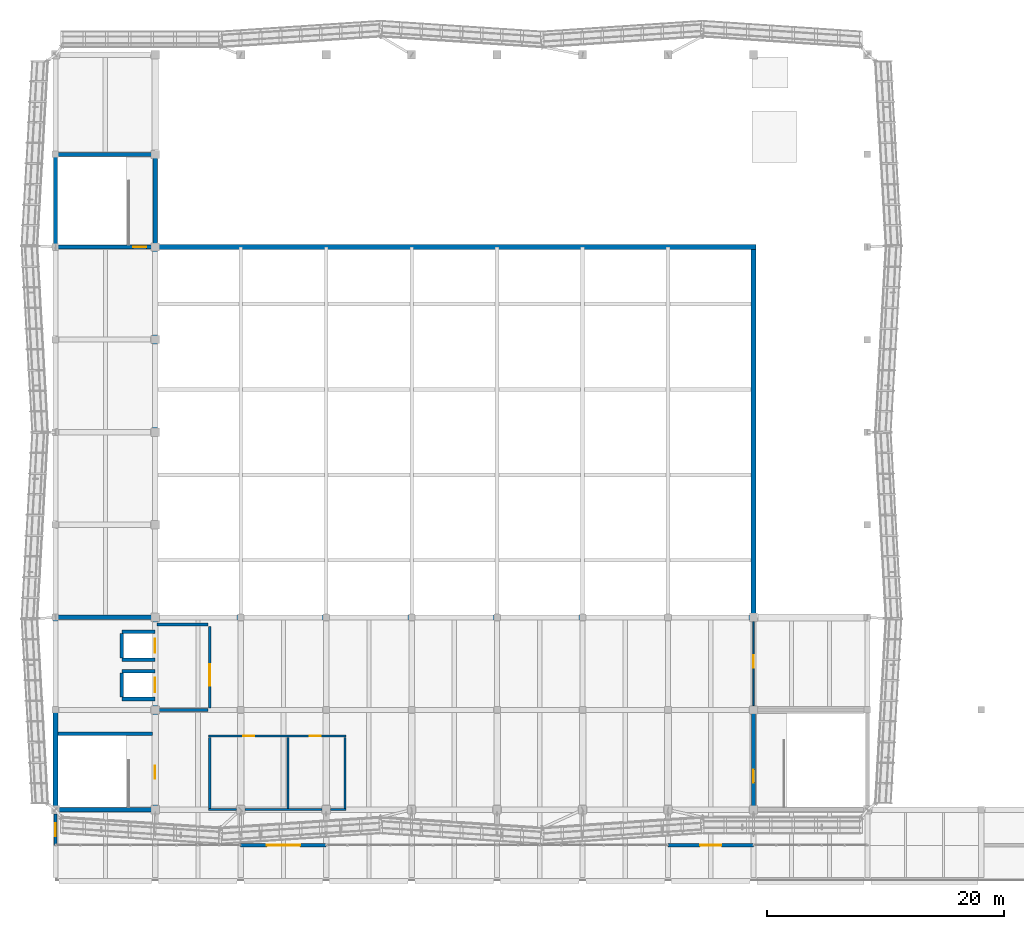
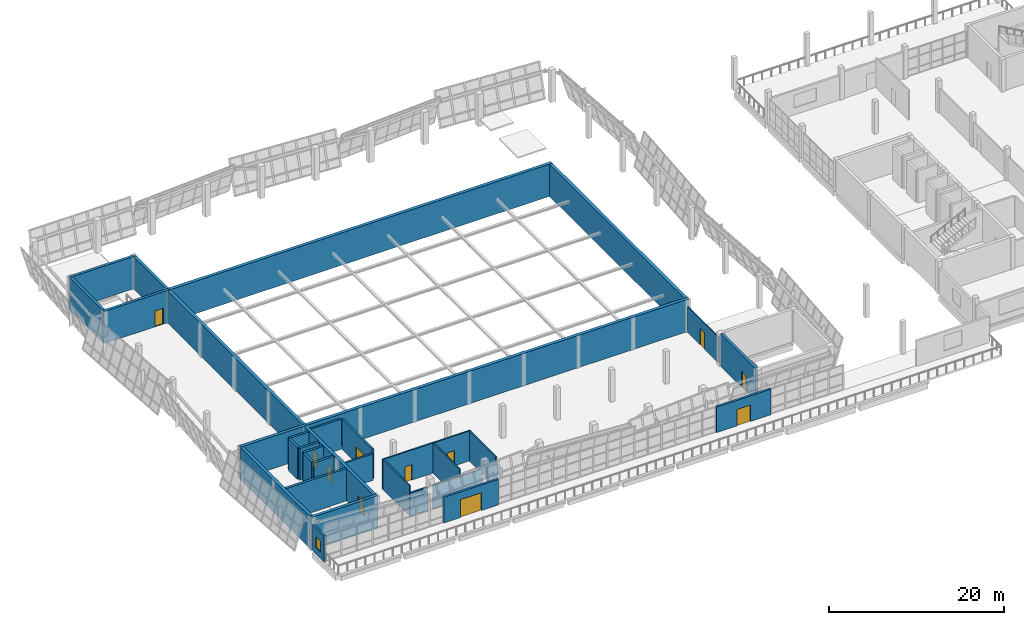
# One storey, part 55 of 67: 34 walls, 11 doors, 1 window, 12 openings.
"""IFC4 building model written with IfcOpenShell, lengths in metres."""

import ifcopenshell
import ifcopenshell.guid

model = None  # the IFC model being written
_history = None  # IfcOwnerHistory: only IFC2X3 demands one
_inside = {}  # id of a spatial element -> (the spatial element, [elements in it])
_under = {}  # id of a project, library or spatial element -> (it, [spatial elements below it])
_declared = {}  # id of a project -> (the project, [libraries it declares])
_typed = {}  # id of a type object -> (the type object, [elements of that type])
_made_of = {}  # id of a material, layer set ... -> (it, [elements and type objects made of it])


def new_model(schema):
    """Start an empty IFC model of exactly this schema.

    Asked for "IFC4X3", IfcOpenShell would pick the latest addendum, in which some entities
    have other attributes; the version numbers below select the first issue.
    IFC2X3 requires an IfcOwnerHistory on every rooted entity: one is made here for all.
    """
    global model, _history
    if schema == "IFC4X3":
        model = ifcopenshell.file(schema_version=(4, 3, 0, 0))
    else:
        model = ifcopenshell.file(schema=schema)
    _inside.clear()
    _under.clear()
    _declared.clear()
    _typed.clear()
    _made_of.clear()
    _history = None
    if model.schema == "IFC2X3":
        org = make("IfcOrganization", Name="unknown")
        user = make(
            "IfcPersonAndOrganization",
            ThePerson=make("IfcPerson", FamilyName="unknown"),
            TheOrganization=org,
        )
        app = make(
            "IfcApplication",
            ApplicationDeveloper=org,
            Version="unknown",
            ApplicationFullName="unknown",
            ApplicationIdentifier="unknown",
        )
        _history = make(
            "IfcOwnerHistory",
            OwningUser=user,
            OwningApplication=app,
            ChangeAction="ADDED",
            CreationDate=0,
        )
    return model


def make(cls, **values):
    """One entity of the class cls with the attributes given. An attribute that is None is left unset."""
    return model.create_entity(
        cls, **{name: value for name, value in values.items() if value is not None}
    )


def rooted(cls, **values):
    """An entity with a GlobalId (a new one), such as an element, a storey or a relation."""
    return make(cls, GlobalId=ifcopenshell.guid.new(), OwnerHistory=_history, **values)


def si_unit(unit_type, name, prefix=None):
    """IfcSIUnit, for example si_unit("LENGTHUNIT", "METRE", prefix="MILLI")."""
    return make("IfcSIUnit", UnitType=unit_type, Prefix=prefix, Name=name)


def assignment(units):
    """IfcUnitAssignment: the units of a project."""
    return None if units is None else make("IfcUnitAssignment", Units=units)


def point(xyz):
    """IfcCartesianPoint."""
    return None if xyz is None else make("IfcCartesianPoint", Coordinates=xyz)


def direction(xyz):
    """IfcDirection."""
    return None if xyz is None else make("IfcDirection", DirectionRatios=xyz)


def frame(location, z_axis=None, x_axis=None):
    """IfcAxis2Placement3D, a coordinate frame: its origin and axes. An axis left out is left unset."""
    return make(
        "IfcAxis2Placement3D",
        Location=point(location),
        Axis=direction(z_axis),
        RefDirection=direction(x_axis),
    )


def frame_2d(location, x_axis=None):
    """IfcAxis2Placement2D, a coordinate frame in the plane: its origin and x axis."""
    return make(
        "IfcAxis2Placement2D", Location=point(location), RefDirection=direction(x_axis)
    )


def origin():
    """The frame at (0, 0, 0) with its axes left unset."""
    return frame((0.0, 0.0, 0.0))


def place(relative_to, where):
    """IfcLocalPlacement: puts the frame where relative to a parent placement (None: the world)."""
    return make(
        "IfcLocalPlacement", PlacementRelTo=relative_to, RelativePlacement=where
    )


def context(
    kind, dimensions, precision=None, world=None, true_north=None, identifier=None
):
    """IfcGeometricRepresentationContext, for example the 3D "Model" context."""
    return make(
        "IfcGeometricRepresentationContext",
        ContextIdentifier=identifier,
        ContextType=kind,
        CoordinateSpaceDimension=dimensions,
        Precision=precision,
        WorldCoordinateSystem=world,
        TrueNorth=true_north,
    )


def subcontext(parent, identifier, kind, view, scale=None):
    """IfcGeometricRepresentationSubContext, for example "Body" below "Model"."""
    return make(
        "IfcGeometricRepresentationSubContext",
        ContextIdentifier=identifier,
        ContextType=kind,
        ParentContext=parent,
        TargetScale=scale,
        TargetView=view,
    )


def project(units=None, contexts=None):
    """IfcProject with its units and contexts."""
    return rooted(
        "IfcProject",
        Name="project",
        RepresentationContexts=contexts,
        UnitsInContext=assignment(units),
    )


def spatial(cls, under=None, at=None, **own):
    """A site, building, storey or space (cls), placed at a placement, below another one or the project."""
    s = rooted(cls, ObjectPlacement=at, **own)
    if under is not None:
        _under.setdefault(under.id(), (under, []))[1].append(s)
    return s


def profile(cls, at=None, kind="AREA", **sizes):
    """A parametric profile (cls). Its sizes go by their IFC names, for example OverallWidth=200.0."""
    return make(cls, ProfileType=kind, Position=at, **sizes)


def rectangle(**sizes):
    """IfcRectangleProfileDef."""
    return profile("IfcRectangleProfileDef", **sizes)


def extrude(swept, where, along, depth):
    """IfcExtrudedAreaSolid: the profile swept, set in the frame where, extruded along a direction by depth."""
    return make(
        "IfcExtrudedAreaSolid",
        SweptArea=swept,
        Position=where,
        ExtrudedDirection=direction(along),
        Depth=depth,
    )


def shape(context_of_items, identifier, shape_type, items):
    """IfcShapeRepresentation: the items that make up one representation, for example the "Body"."""
    return make(
        "IfcShapeRepresentation",
        ContextOfItems=context_of_items,
        RepresentationIdentifier=identifier,
        RepresentationType=shape_type,
        Items=items,
    )


def material(Name=None, Category=None):
    """IfcMaterial."""
    return make("IfcMaterial", Name=Name, Category=Category)


def layer(
    of_material, thickness, ventilated=None, Name=None, Category=None, Priority=None
):
    """IfcMaterialLayer: one layer of a wall or slab, of a material (None: an air gap)."""
    return make(
        "IfcMaterialLayer",
        Material=of_material,
        LayerThickness=thickness,
        IsVentilated=ventilated,
        Name=Name,
        Category=Category,
        Priority=Priority,
    )


def layer_set(layers, Name=None):
    """IfcMaterialLayerSet."""
    return make("IfcMaterialLayerSet", MaterialLayers=layers, LayerSetName=Name)


def made_of(thing, what):
    """Note that an element or type object is made of a material, layer set ...; save() writes the relation."""
    if what is not None:
        _made_of.setdefault(what.id(), (what, []))[1].append(thing)
    return thing


def type_object(cls, material=None, **own):
    """A type object (cls), such as IfcWallType, which elements share."""
    return made_of(rooted(cls, **own), material)


def element(
    cls,
    number,
    at=None,
    inside=None,
    cuts=None,
    type_object=None,
    material=None,
    context=None,
    identifier="Body",
    shape_type=None,
    held_by="IfcProductDefinitionShape",
    body=None,
    shapes=None,
    **own,
):
    """One element of the class cls, such as IfcWall. Its Tag is "e" and its number.

    at: its placement. inside: the storey or other place that contains it. cuts: it is an
    opening in that element (IfcRelVoidsElement). A single representation is given by context,
    identifier, shape_type and body (its items); several are given by shapes. held_by: the class
    of the entity that holds the representations. save() writes the other relations.
    """
    e = rooted(cls, Tag="e%d" % number, ObjectPlacement=at, **own)
    if body is not None:
        shapes = [shape(context, identifier, shape_type, body)]
    if shapes is not None:
        e.Representation = make(held_by, Representations=shapes)
    if inside is not None:
        _inside.setdefault(inside.id(), (inside, []))[1].append(e)
    if cuts is not None:
        rooted(
            "IfcRelVoidsElement", RelatingBuildingElement=cuts, RelatedOpeningElement=e
        )
    if type_object is not None:
        _typed.setdefault(type_object.id(), (type_object, []))[1].append(e)
    return made_of(e, material)


def fill(opening, filler):
    """IfcRelFillsElement: the door or window that sits in an opening."""
    return rooted(
        "IfcRelFillsElement",
        RelatingOpeningElement=opening,
        RelatedBuildingElement=filler,
    )


def aggregate(whole, parts):
    """IfcRelAggregates: a whole, such as a stair, and the parts it consists of."""
    return rooted("IfcRelAggregates", RelatingObject=whole, RelatedObjects=parts)


def save(model, path):
    """Write the relations noted so far, then the file.

    IfcRelAggregates (storeys below a building ...), IfcRelContainedInSpatialStructure (elements
    in a storey), IfcRelDefinesByType, IfcRelAssociatesMaterial and IfcRelDeclares: one each for
    every whole, place, type object, material and project.
    """
    for whole, parts in _under.values():
        aggregate(whole, parts)
    for where, things in _inside.values():
        rooted(
            "IfcRelContainedInSpatialStructure",
            RelatedElements=things,
            RelatingStructure=where,
        )
    for kind, things in _typed.values():
        rooted("IfcRelDefinesByType", RelatedObjects=things, RelatingType=kind)
    for what, things in _made_of.values():
        rooted("IfcRelAssociatesMaterial", RelatedObjects=things, RelatingMaterial=what)
    for by, libraries in _declared.values():
        rooted("IfcRelDeclares", RelatingContext=by, RelatedDefinitions=libraries)
    model.write(path)


model = new_model("IFC4")

# Units and contexts
model_context = context("Model", 3, precision=1e-05, world=origin(), true_north=direction((0.0, 1.0)))
body_context = subcontext(model_context, "Body", "Model", "MODEL_VIEW")
ifc_project = project(units=[si_unit("LENGTHUNIT", "METRE"), si_unit("AREAUNIT", "SQUARE_METRE"), si_unit("VOLUMEUNIT", "CUBIC_METRE"), si_unit("PLANEANGLEUNIT", "RADIAN"), si_unit("MASSUNIT", "GRAM", prefix="KILO")], contexts=[model_context])

# Site, building, storey
site_placement = place(None, origin())
site = spatial("IfcSite", under=ifc_project, at=site_placement, CompositionType="ELEMENT")
building_placement = place(site_placement, origin())
building = spatial("IfcBuilding", under=site, at=building_placement, Name="Pellamere Symphony Hall", CompositionType="ELEMENT")
storey_placement = place(building_placement, frame((0.0, 0.0, 19.5)))
storey = spatial("IfcBuildingStorey", under=building, at=storey_placement, Name="L04", CompositionType="ELEMENT", Elevation=19.5)

# Wall, opening, door
ifc_material_1 = material(Name="Architectural Limestone-Clad Insulated Backing Assembly", Category="masonry")
ifc_layer_1 = layer(ifc_material_1, 0.280029296875, Name="Architectural Limestone-Clad Insulated Backing Assembly")
ifc_layer_set_1 = layer_set([ifc_layer_1], Name="Architectural Limestone-Clad Insulated Backing Assembly")
wall_type_1 = type_object("IfcWallType", Name="Exterior Wall EW-03 280mm", PredefinedType="SOLIDWALL", material=ifc_layer_set_1)
wall_1_placement = place(storey_placement, frame((66.0, 27.0, 0.0), z_axis=(0.0, 0.0, 1.0), x_axis=(1.0, 0.0, 0.0)))
wall_1 = element("IfcWall", 1, at=wall_1_placement, inside=storey, type_object=wall_type_1, Name="Exterior Wall EW-03-056 (L04)", PredefinedType="SOLIDWALL", context=body_context, shape_type="SweptSolid", body=[
    extrude(rectangle(XDim=7.199951171875, YDim=0.280029296875, at=frame_2d((3.60009765625, 0.0))), origin(), (0.0, 0.0, 1.0), 3.577392578125),
])
opening_1_placement = place(wall_1_placement, frame((2.199951171875, 0.0, 0.0)))
opening_1 = element("IfcOpeningElement", 2, at=opening_1_placement, cuts=wall_1, Name="Opening TD-05", PredefinedType="OPENING", context=body_context, shape_type="SweptSolid", body=[
    extrude(rectangle(XDim=2.800048828125, YDim=2.5, at=frame_2d((1.39990234375, 1.25))), frame((0.0, 0.14990234375, 0.0), z_axis=(0.0, -1.0, 0.0), x_axis=(1.0, 0.0, 0.0)), (0.0, 0.0, 1.0), 0.300048828125),
])
ifc_material_2 = material(Name="Thermally Broken Bronze-Anodised Aluminium Acoustic Door", Category="aluminium")
door_type_1 = type_object("IfcDoorType", Name="Exterior Door ED-05 2800x2500", OperationType="NOTDEFINED", PredefinedType="DOOR", material=ifc_material_2)
door_1_placement = place(opening_1_placement, frame((2.800048828125, 0.0, 0.0), z_axis=(0.0, 0.0, 1.0), x_axis=(-1.0, 0.0, 0.0)))
door_1 = element("IfcDoor", 3, at=door_1_placement, inside=storey, type_object=door_type_1, Name="Step 3 Belvedere Terrace West Door", OperationType="SLIDING_TO_LEFT", OverallHeight=2.5, OverallWidth=2.800048828125, PredefinedType="DOOR", context=body_context, shape_type="SweptSolid", body=[
    extrude(rectangle(XDim=2.800048828125, YDim=2.5, at=frame_2d((1.39990234375, 1.25))), frame((0.0, 0.02490234375, 0.0), z_axis=(0.0, -1.0, 0.0), x_axis=(1.0, 0.0, 0.0)), (0.0, 0.0, 1.0), 0.050048828125),
])
fill(opening_1, door_1)

wall_2_placement = place(storey_placement, frame((102.0, 27.0, 0.0), z_axis=(0.0, 0.0, 1.0), x_axis=(1.0, 0.0, 0.0)))
wall_2 = element("IfcWall", 4, at=wall_2_placement, inside=storey, type_object=wall_type_1, Name="Exterior Wall EW-03-057 (L04)", PredefinedType="SOLIDWALL", context=body_context, shape_type="SweptSolid", body=[
    extrude(rectangle(XDim=7.199951171875, YDim=0.280029296875, at=frame_2d((3.60009765625, 0.0))), origin(), (0.0, 0.0, 1.0), 3.577392578125),
])
opening_2_placement = place(wall_2_placement, frame((2.699951171875, 0.0, 0.0)))
opening_2 = element("IfcOpeningElement", 5, at=opening_2_placement, cuts=wall_2, Name="Opening TD-06", PredefinedType="OPENING", context=body_context, shape_type="SweptSolid", body=[
    extrude(rectangle(XDim=1.800048828125, YDim=2.300048828125, at=frame_2d((0.89990234375, 1.14990234375))), frame((0.0, 0.14990234375, 0.0), z_axis=(0.0, -1.0, 0.0), x_axis=(1.0, 0.0, 0.0)), (0.0, 0.0, 1.0), 0.300048828125),
])
door_type_2 = type_object("IfcDoorType", Name="Exterior Door ED-06 1800x2300", OperationType="NOTDEFINED", PredefinedType="DOOR", material=ifc_material_2)
door_2_placement = place(opening_2_placement, frame((1.800048828125, 0.0, 0.0), z_axis=(0.0, 0.0, 1.0), x_axis=(-1.0, 0.0, 0.0)))
door_2 = element("IfcDoor", 6, at=door_2_placement, inside=storey, type_object=door_type_2, Name="Step 3 Belvedere Terrace East Door", OperationType="DOUBLE_DOOR_SINGLE_SWING", OverallHeight=2.300048828125, OverallWidth=1.800048828125, PredefinedType="DOOR", context=body_context, shape_type="SweptSolid", body=[
    extrude(rectangle(XDim=1.800048828125, YDim=2.300048828125, at=frame_2d((0.89990234375, 1.14990234375))), frame((0.0, 0.02490234375, 0.0), z_axis=(0.0, -1.0, 0.0), x_axis=(1.0, 0.0, 0.0)), (0.0, 0.0, 1.0), 0.050048828125),
])
fill(opening_2, door_2)

# Wall, opening, window
wall_3_placement = place(storey_placement, frame((50.39990234375, 27.0, 0.0), z_axis=(0.0, 0.0, 1.0), x_axis=(0.0, 1.0, 0.0)))
wall_3 = element("IfcWall", 7, at=wall_3_placement, inside=storey, type_object=wall_type_1, Name="Exterior Wall EW-03-061 (L04)", PredefinedType="SOLIDWALL", context=body_context, shape_type="SweptSolid", body=[
    extrude(rectangle(XDim=2.64990234375, YDim=0.280029296875, at=frame_2d((1.324951171875, 0.0))), origin(), (0.0, 0.0, 1.0), 3.577392578125),
])
opening_3_placement = place(wall_3_placement, frame((0.77490234375, 0.0, 0.89990234375)))
opening_3 = element("IfcOpeningElement", 8, at=opening_3_placement, cuts=wall_3, Name="Opening W036", PredefinedType="OPENING", context=body_context, shape_type="SweptSolid", body=[
    extrude(rectangle(XDim=1.10009765625, YDim=1.5, at=frame_2d((0.550048828125, 0.75))), frame((0.0, 0.14990234375, 0.0), z_axis=(0.0, -1.0, 0.0), x_axis=(1.0, 0.0, 0.0)), (0.0, 0.0, 1.0), 0.300048828125),
])
ifc_material_3 = material(Name="Thermally Broken Aluminium Triple-Glazed Acoustic Window", Category="aluminium")
window_type = type_object("IfcWindowType", Name="Window WN-15 1100x1500", PartitioningType="SINGLE_PANEL", PredefinedType="WINDOW", material=ifc_material_3)
window_placement = place(opening_3_placement, origin())
window = element("IfcWindow", 9, at=window_placement, inside=storey, type_object=window_type, Name="Exterior Window W036 (L04)", OverallHeight=1.5, OverallWidth=1.10009765625, PartitioningType="SINGLE_PANEL", PredefinedType="WINDOW", context=body_context, shape_type="SweptSolid", body=[
    extrude(rectangle(XDim=1.10009765625, YDim=1.5, at=frame_2d((0.550048828125, 0.75))), frame((0.0, 0.030029296875, 0.0), z_axis=(0.0, -1.0, 0.0), x_axis=(1.0, 0.0, 0.0)), (0.0, 0.0, 1.0), 0.06005859375),
])
fill(opening_3, window)

# Walls
ifc_material_4 = material(Name="Double-Stud STC-65 Acoustic Drywall Partition", Category="gypsum")
ifc_layer_2 = layer(ifc_material_4, 0.239990234375, Name="Double-Stud STC-65 Acoustic Drywall Partition")
ifc_layer_set_2 = layer_set([ifc_layer_2], Name="Double-Stud STC-65 Acoustic Drywall Partition")
wall_type_2 = type_object("IfcWallType", Name="Interior Partition IW-01 240mm", PredefinedType="PARTITIONING", material=ifc_layer_set_2)
wall_4_placement = place(storey_placement, frame((58.9599609375, 38.39990234375, 0.0), z_axis=(0.0, 0.0, 1.0), x_axis=(1.0, 0.0, 0.0)))
element("IfcWall", 10, at=wall_4_placement, inside=storey, type_object=wall_type_2, Name="Interior Partition IW-01-017 (L04)", PredefinedType="PARTITIONING", context=body_context, shape_type="SweptSolid", body=[
    extrude(rectangle(XDim=4.280029296875, YDim=0.239990234375, at=frame_2d((2.14013671875, 0.0))), origin(), (0.0, 0.0, 1.0), 3.699951171875),
])
wall_5_placement = place(storey_placement, frame((58.9599609375, 45.60009765625, 0.0), z_axis=(0.0, 0.0, 1.0), x_axis=(1.0, 0.0, 0.0)))
element("IfcWall", 11, at=wall_5_placement, inside=storey, type_object=wall_type_2, Name="Interior Partition IW-01-018 (L04)", PredefinedType="PARTITIONING", context=body_context, shape_type="SweptSolid", body=[
    extrude(rectangle(XDim=4.280029296875, YDim=0.239990234375, at=frame_2d((2.14013671875, 0.0))), origin(), (0.0, 0.0, 1.0), 4.18994140625),
])

# Wall, opening, door
wall_6_placement = place(storey_placement, frame((63.39990234375, 38.56005859375, 0.0), z_axis=(0.0, 0.0, 1.0), x_axis=(0.0, 1.0, 0.0)))
wall_6 = element("IfcWall", 12, at=wall_6_placement, inside=storey, type_object=wall_type_2, Name="Interior Partition IW-01-019 (L04)", PredefinedType="PARTITIONING", context=body_context, shape_type="SweptSolid", body=[
    extrude(rectangle(XDim=6.8798828125, YDim=0.239990234375, at=frame_2d((3.43994140625, 0.0))), origin(), (0.0, 0.0, 1.0), 4.18994140625),
])
opening_4_placement = place(wall_6_placement, frame((1.89990234375, 0.0, 0.0)))
opening_4 = element("IfcOpeningElement", 13, at=opening_4_placement, cuts=wall_6, Name="Opening FD-08", PredefinedType="OPENING", context=body_context, shape_type="SweptSolid", body=[
    extrude(rectangle(XDim=1.800048828125, YDim=2.300048828125, at=frame_2d((0.89990234375, 1.14990234375))), frame((0.0, 0.1298828125, 0.0), z_axis=(0.0, -1.0, 0.0), x_axis=(1.0, 0.0, 0.0)), (0.0, 0.0, 1.0), 0.260009765625),
])
ifc_material_5 = material(Name="Fire-Rated Cross-Corridor Double Door", Category="wood")
door_type_3 = type_object("IfcDoorType", Name="Interior Door ID-FD1 1800x2300", OperationType="NOTDEFINED", PredefinedType="DOOR", material=ifc_material_5)
door_3_placement = place(opening_4_placement, origin())
door_3 = element("IfcDoor", 14, at=door_3_placement, inside=storey, type_object=door_type_3, Name="Firefighting Lobby C1 Foyer Entry Door (L04)", OperationType="DOUBLE_DOOR_SINGLE_SWING", OverallHeight=2.300048828125, OverallWidth=1.800048828125, PredefinedType="DOOR", context=body_context, shape_type="SweptSolid", body=[
    extrude(rectangle(XDim=1.800048828125, YDim=2.300048828125, at=frame_2d((0.89990234375, 1.14990234375))), frame((0.0, 0.02490234375, 0.0), z_axis=(0.0, -1.0, 0.0), x_axis=(1.0, 0.0, 0.0)), (0.0, 0.0, 1.0), 0.050048828125),
])
fill(opening_4, door_3)

ifc_material_6 = material(Name="Interior Metal-Stud Gypsum Partition", Category="gypsum")
ifc_layer_3 = layer(ifc_material_6, 0.1298828125, Name="Interior Metal-Stud Gypsum Partition")
ifc_layer_set_3 = layer_set([ifc_layer_3], Name="Interior Metal-Stud Gypsum Partition")
wall_type_3 = type_object("IfcWallType", Name="Interior Partition IW-04 130mm", PredefinedType="PARTITIONING", material=ifc_layer_set_3)
wall_7_placement = place(storey_placement, frame((109.199951171875, 38.760009765625, 0.0), z_axis=(0.0, 0.0, 1.0), x_axis=(0.0, 1.0, 0.0)))
wall_7 = element("IfcWall", 15, at=wall_7_placement, inside=storey, type_object=wall_type_3, Name="Interior Partition IW-04-096 (L04)", PredefinedType="PARTITIONING", context=body_context, shape_type="SweptSolid", body=[
    extrude(rectangle(XDim=7.080078125, YDim=0.1298828125, at=frame_2d((3.5400390625, 0.0))), origin(), (0.0, 0.0, 1.0), 3.570068359375),
])
opening_5_placement = place(wall_7_placement, frame((3.199951171875, 0.0, 0.0)))
opening_5 = element("IfcOpeningElement", 16, at=opening_5_placement, cuts=wall_7, Name="Opening ID-AD2-057", PredefinedType="OPENING", context=body_context, shape_type="SweptSolid", body=[
    extrude(rectangle(XDim=1.050048828125, YDim=2.25, at=frame_2d((0.52490234375, 1.125))), frame((0.0, 0.074951171875, 0.0), z_axis=(0.0, -1.0, 0.0), x_axis=(1.0, 0.0, 0.0)), (0.0, 0.0, 1.0), 0.14990234375),
])
ifc_material_7 = material(Name="STC-50 Oak Acoustic Studio Door", Category="wood")
door_type_4 = type_object("IfcDoorType", Name="Interior Door ID-AD2 1050x2250", OperationType="NOTDEFINED", PredefinedType="DOOR", material=ifc_material_7)
door_4_placement = place(opening_5_placement, origin())
door_4 = element("IfcDoor", 17, at=door_4_placement, inside=storey, type_object=door_type_4, Name="Banquet Finishing Kitchen Service Door", OperationType="SINGLE_SWING_LEFT", OverallHeight=2.25, OverallWidth=1.050048828125, PredefinedType="DOOR", context=body_context, shape_type="SweptSolid", body=[
    extrude(rectangle(XDim=1.050048828125, YDim=2.25, at=frame_2d((0.52490234375, 1.125))), frame((0.0, 0.02490234375, 0.0), z_axis=(0.0, -1.0, 0.0), x_axis=(1.0, 0.0, 0.0)), (0.0, 0.0, 1.0), 0.050048828125),
])
fill(opening_5, door_4)

# Walls
ifc_material_8 = material(Name="Moisture-Resistant Ceramic-Tiled Washroom Wall", Category="gypsum")
ifc_layer_4 = layer(ifc_material_8, 0.179931640625, Name="Moisture-Resistant Ceramic-Tiled Washroom Wall")
ifc_layer_set_4 = layer_set([ifc_layer_4], Name="Moisture-Resistant Ceramic-Tiled Washroom Wall")
wall_type_4 = type_object("IfcWallType", Name="Interior Partition IW-06 180mm", PredefinedType="PARTITIONING", material=ifc_layer_set_4)
wall_8_placement = place(storey_placement, frame((63.31005859375, 30.0, 0.0), z_axis=(0.0, 0.0, 1.0), x_axis=(1.0, 0.0, 0.0)))
element("IfcWall", 18, at=wall_8_placement, inside=storey, type_object=wall_type_4, Name="Interior Partition IW-06-097 (L04)", PredefinedType="PARTITIONING", context=body_context, shape_type="SweptSolid", body=[
    extrude(rectangle(XDim=2.329833984375, YDim=0.179931640625, at=frame_2d((1.1650390625, 0.0))), origin(), (0.0, 0.0, 1.0), 3.280029296875),
])
wall_9_placement = place(storey_placement, frame((66.360107421875, 30.0, 0.0), z_axis=(0.0, 0.0, 1.0), x_axis=(1.0, 0.0, 0.0)))
element("IfcWall", 19, at=wall_9_placement, inside=storey, type_object=wall_type_4, Name="Interior Partition IW-06-098 (L04)", PredefinedType="PARTITIONING", context=body_context, shape_type="SweptSolid", body=[
    extrude(rectangle(XDim=6.47998046875, YDim=0.179931640625, at=frame_2d((3.239990234375, 0.0))), origin(), (0.0, 0.0, 1.0), 3.280029296875),
])
wall_10_placement = place(storey_placement, frame((73.56005859375, 30.0, 0.0), z_axis=(0.0, 0.0, 1.0), x_axis=(1.0, 0.0, 0.0)))
element("IfcWall", 20, at=wall_10_placement, inside=storey, type_object=wall_type_4, Name="Interior Partition IW-06-099 (L04)", PredefinedType="PARTITIONING", context=body_context, shape_type="SweptSolid", body=[
    extrude(rectangle(XDim=1.329833984375, YDim=0.179931640625, at=frame_2d((0.6650390625, 0.0))), origin(), (0.0, 0.0, 1.0), 3.280029296875),
])
for number, where, z_axis, x_axis, name in (
    (21, (63.39990234375, 30.10009765625, 0.0), (0.0, 0.0, 1.0), (0.0, 1.0, 0.0), "Interior Partition IW-06-100 (L04)"),
    (22, (74.800048828125, 30.10009765625, 0.0), (0.0, 0.0, 1.0), (0.0, 1.0, 0.0), "Interior Partition IW-06-101 (L04)"),
):
    element("IfcWall", number, at=place(storey_placement, frame(where, z_axis=z_axis, x_axis=x_axis)), inside=storey, type_object=wall_type_4, Name=name, PredefinedType="PARTITIONING", context=body_context, shape_type="SweptSolid", body=[
        extrude(rectangle(XDim=6.0, YDim=0.179931640625, at=frame_2d((3.0, 0.0))), origin(), (0.0, 0.0, 1.0), 4.18994140625),
    ])

# Wall, openings, doors
wall_11_placement = place(storey_placement, frame((63.31005859375, 36.199951171875, 0.0), z_axis=(0.0, 0.0, 1.0), x_axis=(1.0, 0.0, 0.0)))
wall_11 = element("IfcWall", 23, at=wall_11_placement, inside=storey, type_object=wall_type_4, Name="Interior Partition IW-06-102 (L04)", PredefinedType="PARTITIONING", context=body_context, shape_type="SweptSolid", body=[
    extrude(rectangle(XDim=11.579833984375, YDim=0.179931640625, at=frame_2d((5.7900390625, 0.0))), origin(), (0.0, 0.0, 1.0), 4.18994140625),
])
opening_6_placement = place(wall_11_placement, frame((2.89990234375, 0.0, 0.0)))
opening_6 = element("IfcOpeningElement", 24, at=opening_6_placement, cuts=wall_11, Name="Opening ID-WC1-058", PredefinedType="OPENING", context=body_context, shape_type="SweptSolid", body=[
    extrude(rectangle(XDim=0.919921875, YDim=2.14990234375, at=frame_2d((0.4599609375, 1.074951171875))), frame((0.0, 0.099853515625, 0.0), z_axis=(0.0, -1.0, 0.0), x_axis=(1.0, 0.0, 0.0)), (0.0, 0.0, 1.0), 0.199951171875),
])
opening_7_placement = place(wall_11_placement, frame((8.5, 0.0, 0.0)))
opening_7 = element("IfcOpeningElement", 25, at=opening_7_placement, cuts=wall_11, Name="Opening ID-WC1-059", PredefinedType="OPENING", context=body_context, shape_type="SweptSolid", body=[
    extrude(rectangle(XDim=0.919921875, YDim=2.14990234375, at=frame_2d((0.4599609375, 1.074951171875))), frame((0.0, 0.099853515625, 0.0), z_axis=(0.0, -1.0, 0.0), x_axis=(1.0, 0.0, 0.0)), (0.0, 0.0, 1.0), 0.199951171875),
])
ifc_material_9 = material(Name="Accessible Washroom Privacy Door", Category="wood")
door_type_5 = type_object("IfcDoorType", Name="Interior Door ID-WC1 920x2150", OperationType="NOTDEFINED", PredefinedType="DOOR", material=ifc_material_9)
door_5_placement = place(opening_6_placement, origin())
door_5 = element("IfcDoor", 26, at=door_5_placement, inside=storey, type_object=door_type_5, Name="Belvedere Dining Washrooms Door", OperationType="SINGLE_SWING_LEFT", OverallHeight=2.14990234375, OverallWidth=0.919921875, PredefinedType="DOOR", context=body_context, shape_type="SweptSolid", body=[
    extrude(rectangle(XDim=0.919921875, YDim=2.14990234375, at=frame_2d((0.4599609375, 1.074951171875))), frame((0.0, 0.02490234375, 0.0), z_axis=(0.0, -1.0, 0.0), x_axis=(1.0, 0.0, 0.0)), (0.0, 0.0, 1.0), 0.050048828125),
])
fill(opening_6, door_5)
door_6_placement = place(opening_7_placement, origin())
door_6 = element("IfcDoor", 27, at=door_6_placement, inside=storey, type_object=door_type_5, Name="Belvedere Gallery Accessible WC Door", OperationType="SINGLE_SWING_RIGHT", OverallHeight=2.14990234375, OverallWidth=0.919921875, PredefinedType="DOOR", context=body_context, shape_type="SweptSolid", body=[
    extrude(rectangle(XDim=0.919921875, YDim=2.14990234375, at=frame_2d((0.4599609375, 1.074951171875))), frame((0.0, 0.02490234375, 0.0), z_axis=(0.0, -1.0, 0.0), x_axis=(1.0, 0.0, 0.0)), (0.0, 0.0, 1.0), 0.050048828125),
])
fill(opening_7, door_6)

# Walls
wall_12_placement = place(storey_placement, frame((70.0, 30.10009765625, 0.0), z_axis=(0.0, 0.0, 1.0), x_axis=(0.0, 1.0, 0.0)))
element("IfcWall", 28, at=wall_12_placement, inside=storey, type_object=wall_type_4, Name="Interior Partition IW-06-103 (L04)", PredefinedType="PARTITIONING", context=body_context, shape_type="SweptSolid", body=[
    extrude(rectangle(XDim=6.0, YDim=0.179931640625, at=frame_2d((3.0, 0.0))), origin(), (0.0, 0.0, 1.0), 4.18994140625),
])
ifc_material_10 = material(Name="Concrete 50 MPa", Category="concrete")
ifc_layer_5 = layer(ifc_material_10, 0.39990234375, Name="Concrete 50 MPa")
ifc_layer_set_5 = layer_set([ifc_layer_5], Name="Concrete 50 MPa")
wall_type_5 = type_object("IfcWallType", Name="Structural Wall SW-02 400mm", PredefinedType="SHEAR", material=ifc_layer_set_5)
for number, where, z_axis, x_axis, name in (
    (29, (50.199951171875, 30.0, 0.0), (0.0, 0.0, 1.0), (1.0, 0.0, 0.0), "Core Shear Wall C1 S (L04)"),
    (30, (50.199951171875, 46.199951171875, 0.0), (0.0, 0.0, 1.0), (1.0, 0.0, 0.0), "Core Shear Wall C1 N (L04)"),
):
    element("IfcWall", number, at=place(storey_placement, frame(where, z_axis=z_axis, x_axis=x_axis)), inside=storey, type_object=wall_type_5, Name=name, PredefinedType="SHEAR", context=body_context, shape_type="SweptSolid", body=[
        extrude(rectangle(XDim=8.800048828125, YDim=0.39990234375, at=frame_2d((4.39990234375, 0.0))), origin(), (0.0, 0.0, 1.0), 4.5),
    ])
wall_13_placement = place(storey_placement, frame((50.39990234375, 30.199951171875, 0.0), z_axis=(0.0, 0.0, 1.0), x_axis=(0.0, 1.0, 0.0)))
element("IfcWall", 31, at=wall_13_placement, inside=storey, type_object=wall_type_5, Name="Core Shear Wall C1 W (L04)", PredefinedType="SHEAR", context=body_context, shape_type="SweptSolid", body=[
    extrude(rectangle(XDim=15.800048828125, YDim=0.39990234375, at=frame_2d((7.89990234375, 0.0))), origin(), (0.0, 0.0, 1.0), 4.5),
])

# Wall, openings, doors
wall_14_placement = place(storey_placement, frame((58.800048828125, 30.199951171875, 0.0), z_axis=(0.0, 0.0, 1.0), x_axis=(0.0, 1.0, 0.0)))
wall_14 = element("IfcWall", 32, at=wall_14_placement, inside=storey, type_object=wall_type_5, Name="Core Shear Wall C1 E (L04)", PredefinedType="SHEAR", context=body_context, shape_type="SweptSolid", body=[
    extrude(rectangle(XDim=15.800048828125, YDim=0.39990234375, at=frame_2d((7.89990234375, 0.0))), origin(), (0.0, 0.0, 1.0), 4.5),
])
opening_8_placement = place(wall_14_placement, frame((9.699951171875, 0.0, 0.0)))
opening_8 = element("IfcOpeningElement", 33, at=opening_8_placement, cuts=wall_14, Name="Opening LD-06", PredefinedType="OPENING", context=body_context, shape_type="SweptSolid", body=[
    extrude(rectangle(XDim=1.199951171875, YDim=2.199951171875, at=frame_2d((0.60009765625, 1.10009765625))), frame((0.0, 0.2099609375, 0.0), z_axis=(0.0, -1.0, 0.0), x_axis=(1.0, 0.0, 0.0)), (0.0, 0.0, 1.0), 0.419921875),
])
opening_9_placement = place(wall_14_placement, frame((13.0, 0.0, 0.0)))
opening_9 = element("IfcOpeningElement", 34, at=opening_9_placement, cuts=wall_14, Name="Opening LD-12", PredefinedType="OPENING", context=body_context, shape_type="SweptSolid", body=[
    extrude(rectangle(XDim=1.199951171875, YDim=2.199951171875, at=frame_2d((0.60009765625, 1.10009765625))), frame((0.0, 0.2099609375, 0.0), z_axis=(0.0, -1.0, 0.0), x_axis=(1.0, 0.0, 0.0)), (0.0, 0.0, 1.0), 0.419921875),
])
opening_10_placement = place(wall_14_placement, frame((2.39990234375, 0.0, 0.0)))
opening_10 = element("IfcOpeningElement", 35, at=opening_10_placement, cuts=wall_14, Name="Opening SD-06", PredefinedType="OPENING", context=body_context, shape_type="SweptSolid", body=[
    extrude(rectangle(XDim=1.10009765625, YDim=2.199951171875, at=frame_2d((0.550048828125, 1.10009765625))), frame((0.0, 0.2099609375, 0.0), z_axis=(0.0, -1.0, 0.0), x_axis=(1.0, 0.0, 0.0)), (0.0, 0.0, 1.0), 0.419921875),
])
ifc_material_11 = material(Name="Stainless Steel AISI 316 Elevator Landing Door", Category="steel")
door_type_6 = type_object("IfcDoorType", Name="Interior Door ID-LD1 1200x2200", OperationType="NOTDEFINED", PredefinedType="DOOR", material=ifc_material_11)
door_7_placement = place(opening_8_placement, origin())
door_7 = element("IfcDoor", 36, at=door_7_placement, inside=storey, type_object=door_type_6, Name="Elevator PL1 Sliding Landing Door (L04)", OperationType="SLIDING_TO_RIGHT", OverallHeight=2.199951171875, OverallWidth=1.199951171875, PredefinedType="DOOR", context=body_context, shape_type="SweptSolid", body=[
    extrude(rectangle(XDim=1.199951171875, YDim=2.199951171875, at=frame_2d((0.60009765625, 1.10009765625))), frame((0.0, 0.02490234375, 0.0), z_axis=(0.0, -1.0, 0.0), x_axis=(1.0, 0.0, 0.0)), (0.0, 0.0, 1.0), 0.050048828125),
])
fill(opening_8, door_7)
door_8_placement = place(opening_9_placement, origin())
door_8 = element("IfcDoor", 37, at=door_8_placement, inside=storey, type_object=door_type_6, Name="Elevator PL2 Sliding Landing Door (L04)", OperationType="SLIDING_TO_RIGHT", OverallHeight=2.199951171875, OverallWidth=1.199951171875, PredefinedType="DOOR", context=body_context, shape_type="SweptSolid", body=[
    extrude(rectangle(XDim=1.199951171875, YDim=2.199951171875, at=frame_2d((0.60009765625, 1.10009765625))), frame((0.0, 0.02490234375, 0.0), z_axis=(0.0, -1.0, 0.0), x_axis=(1.0, 0.0, 0.0)), (0.0, 0.0, 1.0), 0.050048828125),
])
fill(opening_9, door_8)
ifc_material_12 = material(Name="Fire-Rated Steel Exit Stair Door", Category="steel")
door_type_7 = type_object("IfcDoorType", Name="Interior Door ID-SD1 1100x2200", OperationType="NOTDEFINED", PredefinedType="DOOR", material=ifc_material_12)
door_9_placement = place(opening_10_placement, origin())
door_9 = element("IfcDoor", 38, at=door_9_placement, inside=storey, type_object=door_type_7, Name="Core C1 Exit Stair Door (L04)", OperationType="SINGLE_SWING_RIGHT", OverallHeight=2.199951171875, OverallWidth=1.10009765625, PredefinedType="DOOR", context=body_context, shape_type="SweptSolid", body=[
    extrude(rectangle(XDim=1.10009765625, YDim=2.199951171875, at=frame_2d((0.550048828125, 1.10009765625))), frame((0.0, 0.02490234375, 0.0), z_axis=(0.0, -1.0, 0.0), x_axis=(1.0, 0.0, 0.0)), (0.0, 0.0, 1.0), 0.050048828125),
])
fill(opening_10, door_9)

# Wall, opening, door
ifc_material_13 = material(Name="Concrete 40 MPa", Category="concrete")
ifc_layer_6 = layer(ifc_material_13, 0.35009765625, Name="Concrete 40 MPa")
ifc_layer_set_6 = layer_set([ifc_layer_6], Name="Concrete 40 MPa")
wall_type_6 = type_object("IfcWallType", Name="Structural Wall SW-03 350mm", PredefinedType="SHEAR", material=ifc_layer_set_6)
wall_15_placement = place(storey_placement, frame((50.22509765625, 77.39990234375, 0.0), z_axis=(0.0, 0.0, 1.0), x_axis=(1.0, 0.0, 0.0)))
wall_15 = element("IfcWall", 39, at=wall_15_placement, inside=storey, type_object=wall_type_6, Name="Stair ST07 Enclosure Wall S (L04)", PredefinedType="SHEAR", context=body_context, shape_type="SweptSolid", body=[
    extrude(rectangle(XDim=8.75, YDim=0.35009765625, at=frame_2d((4.375, 0.0))), origin(), (0.0, 0.0, 1.0), 4.5),
])
opening_11_placement = place(wall_15_placement, frame((6.72509765625, 0.0, 0.0)))
opening_11 = element("IfcOpeningElement", 40, at=opening_11_placement, cuts=wall_15, Name="Opening SD-42", PredefinedType="OPENING", context=body_context, shape_type="SweptSolid", body=[
    extrude(rectangle(XDim=1.10009765625, YDim=2.199951171875, at=frame_2d((0.550048828125, 1.10009765625))), frame((0.0, 0.18505859375, 0.0), z_axis=(0.0, -1.0, 0.0), x_axis=(1.0, 0.0, 0.0)), (0.0, 0.0, 1.0), 0.3701171875),
])
door_10_placement = place(opening_11_placement, origin())
door_10 = element("IfcDoor", 41, at=door_10_placement, inside=storey, type_object=door_type_7, Name="Exit Stair ST07 Door (L04)", OperationType="SINGLE_SWING_RIGHT", OverallHeight=2.199951171875, OverallWidth=1.10009765625, PredefinedType="DOOR", context=body_context, shape_type="SweptSolid", body=[
    extrude(rectangle(XDim=1.10009765625, YDim=2.199951171875, at=frame_2d((0.550048828125, 1.10009765625))), frame((0.0, 0.02490234375, 0.0), z_axis=(0.0, -1.0, 0.0), x_axis=(1.0, 0.0, 0.0)), (0.0, 0.0, 1.0), 0.050048828125),
])
fill(opening_11, door_10)

# Walls
wall_16_placement = place(storey_placement, frame((50.22509765625, 85.199951171875, 0.0), z_axis=(0.0, 0.0, 1.0), x_axis=(1.0, 0.0, 0.0)))
element("IfcWall", 42, at=wall_16_placement, inside=storey, type_object=wall_type_6, Name="Stair ST07 Enclosure Wall N (L04)", PredefinedType="SHEAR", context=body_context, shape_type="SweptSolid", body=[
    extrude(rectangle(XDim=8.75, YDim=0.35009765625, at=frame_2d((4.375, 0.0))), origin(), (0.0, 0.0, 1.0), 4.5),
])
for number, where, z_axis, x_axis, name in (
    (43, (50.39990234375, 77.574951171875, 0.0), (0.0, 0.0, 1.0), (0.0, 1.0, 0.0), "Stair ST07 Enclosure Wall W (L04)"),
    (44, (58.800048828125, 77.574951171875, 0.0), (0.0, 0.0, 1.0), (0.0, 1.0, 0.0), "Stair ST07 Enclosure Wall E (L04)"),
):
    element("IfcWall", number, at=place(storey_placement, frame(where, z_axis=z_axis, x_axis=x_axis)), inside=storey, type_object=wall_type_6, Name=name, PredefinedType="SHEAR", context=body_context, shape_type="SweptSolid", body=[
        extrude(rectangle(XDim=7.449951171875, YDim=0.35009765625, at=frame_2d((3.72509765625, 0.0))), origin(), (0.0, 0.0, 1.0), 4.5),
    ])

# Wall, opening, door
wall_17_placement = place(storey_placement, frame((109.199951171875, 30.175048828125, 0.0), z_axis=(0.0, 0.0, 1.0), x_axis=(0.0, 1.0, 0.0)))
wall_17 = element("IfcWall", 45, at=wall_17_placement, inside=storey, type_object=wall_type_6, Name="Stair ST08 Enclosure Wall W (L04)", PredefinedType="SHEAR", context=body_context, shape_type="SweptSolid", body=[
    extrude(rectangle(XDim=8.050048828125, YDim=0.35009765625, at=frame_2d((4.02490234375, 0.0))), origin(), (0.0, 0.0, 1.0), 4.5),
])
opening_12_placement = place(wall_17_placement, frame((2.10009765625, 0.0, 0.0)))
opening_12 = element("IfcOpeningElement", 46, at=opening_12_placement, cuts=wall_17, Name="Opening SD-48", PredefinedType="OPENING", context=body_context, shape_type="SweptSolid", body=[
    extrude(rectangle(XDim=1.10009765625, YDim=2.199951171875, at=frame_2d((0.550048828125, 1.10009765625))), frame((0.0, 0.18505859375, 0.0), z_axis=(0.0, -1.0, 0.0), x_axis=(1.0, 0.0, 0.0)), (0.0, 0.0, 1.0), 0.3701171875),
])
door_11_placement = place(opening_12_placement, frame((1.10009765625, 0.0, 0.0), z_axis=(0.0, 0.0, 1.0), x_axis=(-1.0, 0.0, 0.0)))
door_11 = element("IfcDoor", 47, at=door_11_placement, inside=storey, type_object=door_type_7, Name="Exit Stair ST08 Door (L04)", OperationType="SINGLE_SWING_RIGHT", OverallHeight=2.199951171875, OverallWidth=1.10009765625, PredefinedType="DOOR", context=body_context, shape_type="SweptSolid", body=[
    extrude(rectangle(XDim=1.10009765625, YDim=2.199951171875, at=frame_2d((0.550048828125, 1.10009765625))), frame((0.0, 0.02490234375, 0.0), z_axis=(0.0, -1.0, 0.0), x_axis=(1.0, 0.0, 0.0)), (0.0, 0.0, 1.0), 0.050048828125),
])
fill(opening_12, door_11)

# Walls
ifc_layer_7 = layer(ifc_material_13, 0.300048828125, Name="Concrete 40 MPa")
ifc_layer_set_7 = layer_set([ifc_layer_7], Name="Concrete 40 MPa")
wall_type_7 = type_object("IfcWallType", Name="Structural Wall SW-04 300mm", PredefinedType="SHEAR", material=ifc_layer_set_7)
for number, where, z_axis, x_axis, name in (
    (48, (56.0, 39.324951171875, 0.0), (0.0, 0.0, 1.0), (1.0, 0.0, 0.0), "Elevator PL1 Hoistway Wall S (L04)"),
    (49, (56.0, 41.675048828125, 0.0), (0.0, 0.0, 1.0), (1.0, 0.0, 0.0), "Elevator PL1 Hoistway Wall N (L04)"),
):
    element("IfcWall", number, at=place(storey_placement, frame(where, z_axis=z_axis, x_axis=x_axis)), inside=storey, type_object=wall_type_7, Name=name, PredefinedType="SHEAR", context=body_context, shape_type="SweptSolid", body=[
        extrude(rectangle(XDim=2.800048828125, YDim=0.300048828125, at=frame_2d((1.39990234375, 0.0))), origin(), (0.0, 0.0, 1.0), 4.419921875),
    ])
wall_18_placement = place(storey_placement, frame((56.0, 39.47509765625, 0.0), z_axis=(0.0, 0.0, 1.0), x_axis=(0.0, 1.0, 0.0)))
element("IfcWall", 50, at=wall_18_placement, inside=storey, type_object=wall_type_7, Name="Elevator PL1 Hoistway Wall W (L04)", PredefinedType="SHEAR", context=body_context, shape_type="SweptSolid", body=[
    extrude(rectangle(XDim=2.0498046875, YDim=0.300048828125, at=frame_2d((1.02490234375, 0.0))), origin(), (0.0, 0.0, 1.0), 4.419921875),
])
for number, where, z_axis, x_axis, name in (
    (51, (56.0, 42.625, 0.0), (0.0, 0.0, 1.0), (1.0, 0.0, 0.0), "Elevator PL2 Hoistway Wall S (L04)"),
    (52, (56.0, 44.97509765625, 0.0), (0.0, 0.0, 1.0), (1.0, 0.0, 0.0), "Elevator PL2 Hoistway Wall N (L04)"),
):
    element("IfcWall", number, at=place(storey_placement, frame(where, z_axis=z_axis, x_axis=x_axis)), inside=storey, type_object=wall_type_7, Name=name, PredefinedType="SHEAR", context=body_context, shape_type="SweptSolid", body=[
        extrude(rectangle(XDim=2.800048828125, YDim=0.300048828125, at=frame_2d((1.39990234375, 0.0))), origin(), (0.0, 0.0, 1.0), 4.419921875),
    ])
wall_19_placement = place(storey_placement, frame((56.0, 42.77490234375, 0.0), z_axis=(0.0, 0.0, 1.0), x_axis=(0.0, 1.0, 0.0)))
element("IfcWall", 53, at=wall_19_placement, inside=storey, type_object=wall_type_7, Name="Elevator PL2 Hoistway Wall W (L04)", PredefinedType="SHEAR", context=body_context, shape_type="SweptSolid", body=[
    extrude(rectangle(XDim=2.050048828125, YDim=0.300048828125, at=frame_2d((1.02490234375, 0.0))), origin(), (0.0, 0.0, 1.0), 4.419921875),
])
ifc_material_14 = material(Name="Architectural warm-pigmented concrete 40 MPa", Category="concrete")
ifc_layer_8 = layer(ifc_material_14, 0.419921875, Name="Architectural warm-pigmented concrete 40 MPa")
ifc_layer_set_8 = layer_set([ifc_layer_8], Name="Architectural warm-pigmented concrete 40 MPa")
wall_type_8 = type_object("IfcWallType", Name="Structural Wall SW-06 420mm", PredefinedType="SOLIDWALL", material=ifc_layer_set_8)
for number, where, z_axis, x_axis, name in (
    (54, (58.590087890625, 46.199951171875, 0.0), (0.0, 0.0, 1.0), (1.0, 0.0, 0.0), "Main Hall Acoustic Box Wall AW1-S (L04)"),
    (55, (58.590087890625, 77.39990234375, 0.0), (0.0, 0.0, 1.0), (1.0, 0.0, 0.0), "Main Hall Acoustic Box Wall AW1-N (L04)"),
):
    element("IfcWall", number, at=place(storey_placement, frame(where, z_axis=z_axis, x_axis=x_axis)), inside=storey, type_object=wall_type_8, Name=name, PredefinedType="SOLIDWALL", context=body_context, shape_type="SweptSolid", body=[
        extrude(rectangle(XDim=50.81982421875, YDim=0.419921875, at=frame_2d((25.409912109375, 0.0))), origin(), (0.0, 0.0, 1.0), 4.5),
    ])
for number, where, z_axis, x_axis, name in (
    (56, (58.800048828125, 46.409912109375, 0.0), (0.0, 0.0, 1.0), (0.0, 1.0, 0.0), "Main Hall Acoustic Box Wall AW1-W (L04)"),
    (57, (109.199951171875, 46.409912109375, 0.0), (0.0, 0.0, 1.0), (0.0, 1.0, 0.0), "Main Hall Acoustic Box Wall AW1-E (L04)"),
):
    element("IfcWall", number, at=place(storey_placement, frame(where, z_axis=z_axis, x_axis=x_axis)), inside=storey, type_object=wall_type_8, Name=name, PredefinedType="SOLIDWALL", context=body_context, shape_type="SweptSolid", body=[
        extrude(rectangle(XDim=30.780029296875, YDim=0.419921875, at=frame_2d((15.39013671875, 0.0))), origin(), (0.0, 0.0, 1.0), 4.5),
    ])
ifc_layer_9 = layer(ifc_material_13, 0.31005859375, Name="Concrete 40 MPa")
ifc_layer_set_9 = layer_set([ifc_layer_9], Name="Concrete 40 MPa")
wall_type_9 = type_object("IfcWallType", Name="Structural Wall SW-08 310mm", PredefinedType="SHEAR", material=ifc_layer_set_9)
wall_20_placement = place(storey_placement, frame((50.6201171875, 36.39990234375, 0.0), z_axis=(0.0, 0.0, 1.0), x_axis=(1.0, 0.0, 0.0)))
element("IfcWall", 58, at=wall_20_placement, inside=storey, type_object=wall_type_9, Name="Core Stair Divider Wall C1 (L04)", PredefinedType="SHEAR", context=body_context, shape_type="SweptSolid", body=[
    extrude(rectangle(XDim=7.9599609375, YDim=0.31005859375, at=frame_2d((3.97998046875, 0.0))), origin(), (0.0, 0.0, 1.0), 4.5),
])

save(model, "model.ifc")
